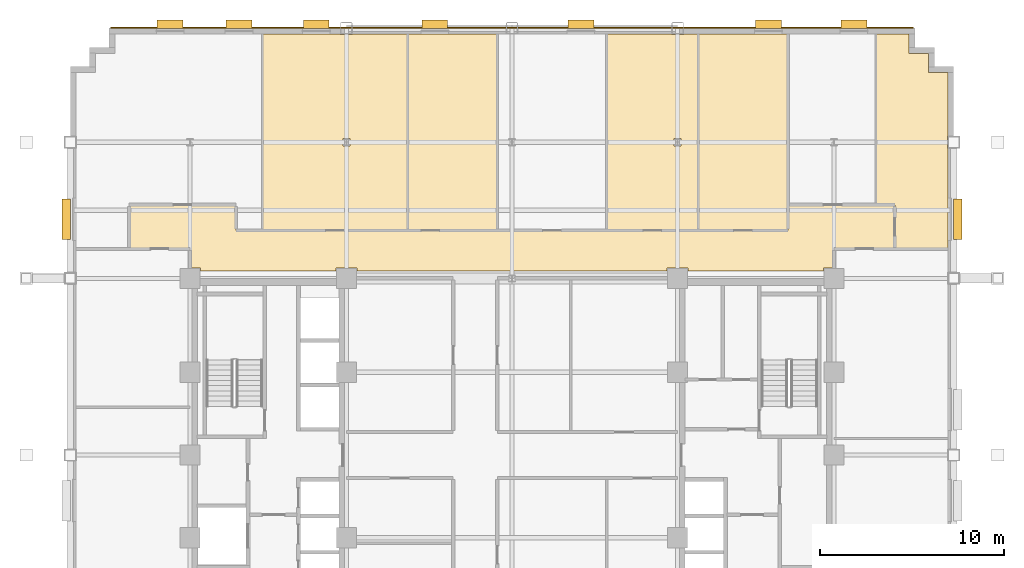
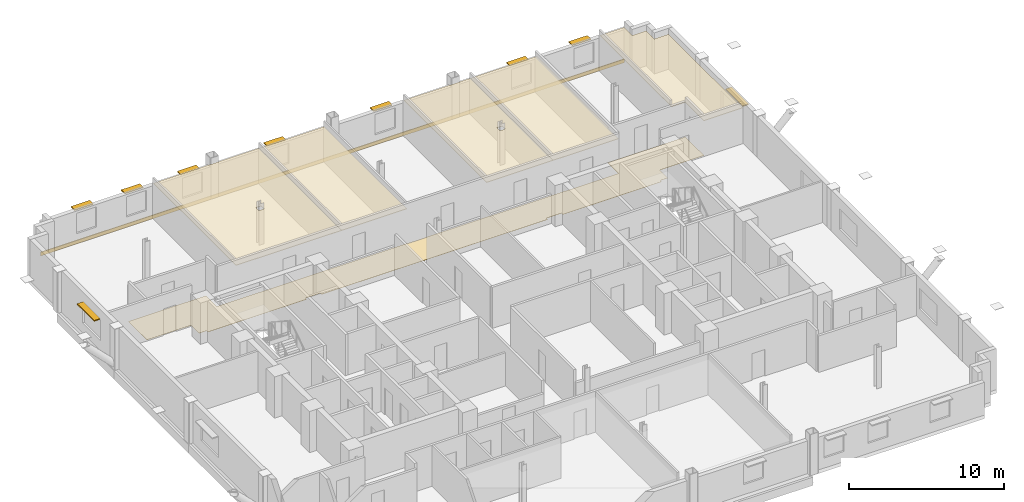
# One storey, part 14 of 14: 9 shading devices, 7 coverings.
"""IFC4 building model written with IfcOpenShell, lengths in metres."""

from ifc_helpers import new_model, si_unit, direction, frame, origin, origin_2d, place, context, subcontext, project, spatial, polyline, rectangle, outline, extrude, source, transform, mapped, material, layer, layer_set, type_object, type_shapes, element, save


model = new_model("IFC4")

# Units and contexts
model_context = context("Model", 3, precision=1e-05, world=origin(), true_north=direction((0.0, 1.0)))
body_context = subcontext(model_context, "Body", "Model", "MODEL_VIEW")
ifc_project = project(units=[si_unit("LENGTHUNIT", "METRE"), si_unit("AREAUNIT", "SQUARE_METRE"), si_unit("VOLUMEUNIT", "CUBIC_METRE"), si_unit("PLANEANGLEUNIT", "RADIAN"), si_unit("MASSUNIT", "GRAM", prefix="KILO")], contexts=[model_context])

# Site, building, storey
site_placement = place(None, origin())
site = spatial("IfcSite", under=ifc_project, at=site_placement, CompositionType="ELEMENT")
building_placement = place(site_placement, origin())
building = spatial("IfcBuilding", under=site, at=building_placement, Name="Nuvemarco Arch Tower", CompositionType="ELEMENT")
storey_placement = place(building_placement, frame((0.0, 0.0, 112.89990234375)))
storey = spatial("IfcBuildingStorey", under=building, at=storey_placement, Name="L29", CompositionType="ELEMENT", Elevation=112.89990234375)

# Coverings
ifc_material_1 = material(Name="Mineral acoustic ceiling tile")
ifc_layer_1 = layer(ifc_material_1, 0.0400390625, Name="COV-ACOUSTIC-CLG")
ifc_layer_set_1 = layer_set([ifc_layer_1], Name="Mineral acoustic ceiling tile")
covering_type_1 = type_object("IfcCoveringType", Name="COV-ACOUSTIC-CLG", PredefinedType="CEILING", material=ifc_layer_set_1)
covering_1_placement = place(storey_placement, frame((0.0, 0.0, 2.72998046875)))
element("IfcCovering", 1, at=covering_1_placement, inside=storey, type_object=covering_type_1, Name="L29 suspended acoustic ceiling 3", PredefinedType="CEILING", context=body_context, shape_type="SweptSolid", body=[
    extrude(outline(polyline([(-5.669921875, 12.199951171875), (-13.56005859375, 12.199951171875), (-13.56005859375, 22.8798828125), (-9.340087890625, 22.8798828125), (-9.340087890625, 22.860107421875), (-8.659912109375, 22.860107421875), (-8.659912109375, 22.8798828125), (-5.669921875, 22.8798828125), (-5.669921875, 12.199951171875)]), holes=[polyline([(-8.804931640625, 16.804931640625), (-8.804931640625, 17.195068359375), (-9.195068359375, 17.195068359375), (-9.195068359375, 16.804931640625), (-8.804931640625, 16.804931640625)])]), origin(), (0.0, 0.0, 1.0), 0.0400390625),
])
covering_2_placement = place(storey_placement, frame((0.0, 0.0, 2.72998046875)))
element("IfcCovering", 2, at=covering_2_placement, inside=storey, type_object=covering_type_1, Name="L29 suspended acoustic ceiling 4", PredefinedType="CEILING", context=body_context, shape_type="SweptSolid", body=[
    extrude(outline(polyline([(15.070068359375, 22.8798828125), (15.070068359375, 13.60009765625), (15.0, 13.60009765625), (15.0, 12.199951171875), (10.110107421875, 12.199951171875), (10.110107421875, 22.8798828125), (15.070068359375, 22.8798828125)])), origin(), (0.0, 0.0, 1.0), 0.0400390625),
])
covering_3_placement = place(storey_placement, frame((0.0, 0.0, 2.72998046875)))
element("IfcCovering", 3, at=covering_3_placement, inside=storey, type_object=covering_type_1, Name="L29 suspended acoustic ceiling 5", PredefinedType="CEILING", context=body_context, shape_type="SweptSolid", body=[
    extrude(outline(polyline([(10.110107421875, 12.199951171875), (5.14990234375, 12.199951171875), (5.14990234375, 22.8798828125), (8.659912109375, 22.8798828125), (8.659912109375, 22.860107421875), (9.340087890625, 22.860107421875), (9.340087890625, 22.8798828125), (10.110107421875, 22.8798828125), (10.110107421875, 12.199951171875)]), holes=[polyline([(9.195068359375, 17.195068359375), (8.804931640625, 17.195068359375), (8.804931640625, 16.804931640625), (9.195068359375, 16.804931640625), (9.195068359375, 17.195068359375)])]), origin(), (0.0, 0.0, 1.0), 0.0400390625),
])
covering_4_placement = place(storey_placement, frame((0.0, 0.0, 2.72998046875)))
element("IfcCovering", 4, at=covering_4_placement, inside=storey, type_object=covering_type_1, Name="L29 suspended acoustic ceiling 6", PredefinedType="CEILING", context=body_context, shape_type="SweptSolid", body=[
    extrude(outline(polyline([(-0.800048828125, 12.199951171875), (-3.199951171875, 12.199951171875), (-5.669921875, 12.199951171875), (-5.669921875, 22.8798828125), (-0.800048828125, 22.8798828125), (-0.800048828125, 12.199951171875)])), origin(), (0.0, 0.0, 1.0), 0.0400390625),
])
covering_5_placement = place(storey_placement, frame((0.0, 0.0, 2.72998046875)))
element("IfcCovering", 5, at=covering_5_placement, inside=storey, type_object=covering_type_1, Name="L29 suspended acoustic ceiling 7", PredefinedType="CEILING", context=body_context, shape_type="SweptSolid", body=[
    extrude(outline(polyline([(23.679931640625, 20.780029296875), (23.679931640625, 17.340087890625), (23.659912109375, 17.340087890625), (23.659912109375, 16.659912109375), (23.679931640625, 16.659912109375), (23.679931640625, 11.199951171875), (20.800048828125, 11.199951171875), (20.800048828125, 13.60009765625), (19.780029296875, 13.60009765625), (19.780029296875, 22.8798828125), (21.580078125, 22.8798828125), (21.580078125, 21.830078125), (22.6298828125, 21.830078125), (22.6298828125, 20.780029296875), (23.679931640625, 20.780029296875)])), origin(), (0.0, 0.0, 1.0), 0.0400390625),
])
ifc_material_2 = material(Name="Polished granite terrazzostone flooring", Category="masonry")
ifc_layer_2 = layer(ifc_material_2, 0.02001953125, Name="COV-LOBBY-FLR")
ifc_layer_set_2 = layer_set([ifc_layer_2], Name="Polished granite terrazzostone flooring")
covering_type_2 = type_object("IfcCoveringType", Name="COV-LOBBY-FLR", PredefinedType="FLOORING", material=ifc_layer_set_2)
covering_6_placement = place(storey_placement, origin())
element("IfcCovering", 6, at=covering_6_placement, inside=storey, type_object=covering_type_2, Name="L29 polished terrazzo lobby flooring", PredefinedType="FLOORING", context=body_context, shape_type="SweptSolid", body=[
    extrude(outline(polyline([(-8.43505859375, 10.1650390625), (-9.56494140625, 10.1650390625), (-9.56494140625, 10.0), (-16.93505859375, 10.0), (-16.93505859375, 10.1650390625), (-17.5, 10.1650390625), (-17.5, 11.199951171875), (-20.800048828125, 11.199951171875), (-20.800048828125, 13.60009765625), (-15.0, 13.60009765625), (-15.0, 12.199951171875), (-3.199951171875, 12.199951171875), (-0.800048828125, 12.199951171875), (15.0, 12.199951171875), (15.0, 13.60009765625), (20.800048828125, 13.60009765625), (20.800048828125, 11.199951171875), (17.5, 11.199951171875), (17.5, 10.1650390625), (16.93505859375, 10.1650390625), (16.93505859375, 10.0), (9.56494140625, 10.0), (9.56494140625, 10.1650390625), (8.43505859375, 10.1650390625), (8.43505859375, 10.0), (-8.43505859375, 10.0), (-8.43505859375, 10.1650390625)])), origin(), (0.0, 0.0, 1.0), 0.02001953125),
])

# Shading devices
ifc_material_3 = material(Name="Anodised aluminium 6063-T6", Category="aluminium")
shading_device_type_1 = type_object("IfcShadingDeviceType", Name="SHD-BRISE-SOLEIL", PredefinedType="USERDEFINED", material=ifc_material_3)
shared_shape_1 = source(origin(), body_context, "Body", "SweptSolid", [
    extrude(rectangle(XDim=2.199951171875, YDim=0.449951171875, at=origin_2d()), origin(), (0.0, 0.0, 1.0), 0.080078125),
])
type_shapes(shading_device_type_1, [shared_shape_1])
for number, where, z_axis, x_axis, name in (
    (7, (24.215087890625, 12.81494140625, 2.425048828125), (0.0, 0.0, 1.0), (0.0, 1.0, 0.0), "L29 horizontal brise-soleil sunshade"),
    (8, (-24.215087890625, 12.81494140625, 2.425048828125), (0.0, 0.0, 1.0), (0.0, 1.0, 0.0), "L29 horizontal brise-soleil sunshade"),
):
    element("IfcShadingDevice", number, at=place(storey_placement, frame(where, z_axis=z_axis, x_axis=x_axis)), inside=storey, type_object=shading_device_type_1, Name=name, ObjectType="SUNSHADE", PredefinedType="USERDEFINED", context=body_context, shape_type="MappedRepresentation", body=[
        mapped(shared_shape_1, transform((0.0, 0.0, 0.0), scale=1.0)),
    ])
shading_device_type_2 = type_object("IfcShadingDeviceType", Name="SHD-BRISE-NARROW", PredefinedType="USERDEFINED", material=ifc_material_3)
shared_shape_2 = source(origin(), body_context, "Body", "SweptSolid", [
    extrude(rectangle(XDim=1.39990234375, YDim=0.449951171875, at=origin_2d()), origin(), (0.0, 0.0, 1.0), 0.080078125),
])
type_shapes(shading_device_type_2, [shared_shape_2])
for number, where, z_axis, x_axis, name in (
    (9, (-18.577880859375, 23.4150390625, 2.405029296875), (0.0, 0.0, 1.0), (1.0, 0.0, 0.0), "L29 horizontal brise-soleil sunshade"),
    (10, (-14.833251953125, 23.4150390625, 2.405029296875), (0.0, 0.0, 1.0), (1.0, 0.0, 0.0), "L29 horizontal brise-soleil sunshade"),
    (11, (-10.638916015625, 23.4150390625, 2.405029296875), (0.0, 0.0, 1.0), (1.0, 0.0, 0.0), "L29 horizontal brise-soleil sunshade"),
    (12, (-4.1943359375, 23.4150390625, 2.405029296875), (0.0, 0.0, 1.0), (1.0, 0.0, 0.0), "L29 horizontal brise-soleil sunshade"),
    (13, (3.744384765625, 23.4150390625, 2.405029296875), (0.0, 0.0, 1.0), (1.0, 0.0, 0.0), "L29 horizontal brise-soleil sunshade"),
    (14, (13.933349609375, 23.4150390625, 2.405029296875), (0.0, 0.0, 1.0), (1.0, 0.0, 0.0), "L29 horizontal brise-soleil sunshade"),
    (15, (18.577880859375, 23.4150390625, 2.405029296875), (0.0, 0.0, 1.0), (1.0, 0.0, 0.0), "L29 horizontal brise-soleil sunshade"),
):
    element("IfcShadingDevice", number, at=place(storey_placement, frame(where, z_axis=z_axis, x_axis=x_axis)), inside=storey, type_object=shading_device_type_2, Name=name, ObjectType="SUNSHADE", PredefinedType="USERDEFINED", context=body_context, shape_type="MappedRepresentation", body=[
        mapped(shared_shape_2, transform((0.0, 0.0, 0.0), scale=1.0)),
    ])

# Covering
ifc_material_4 = material(Name="Precast concrete C45/55", Category="concrete")
ifc_layer_3 = layer(ifc_material_4, 0.06005859375, Name="COV-SPANDREL-CLAD")
ifc_layer_set_3 = layer_set([ifc_layer_3], Name="Precast concrete C45/55")
covering_type_3 = type_object("IfcCoveringType", Name="COV-SPANDREL-CLAD", PredefinedType="CLADDING", material=ifc_layer_set_3)
shared_shape_3 = source(origin(), body_context, "Body", "SweptSolid", [
    extrude(rectangle(XDim=43.60009765625, YDim=0.06005859375, at=origin_2d()), origin(), (0.0, 0.0, 1.0), 0.280029296875),
])
type_shapes(covering_type_3, [shared_shape_3])
covering_7_placement = place(storey_placement, frame((0.0, 23.22900390625, -0.27978515625), z_axis=(0.0, 0.0, 1.0), x_axis=(1.0, 0.0, 0.0)))
element("IfcCovering", 16, at=covering_7_placement, inside=storey, type_object=covering_type_3, Name="L29 precast spandrel edge cladding north", PredefinedType="CLADDING", context=body_context, shape_type="MappedRepresentation", body=[
    mapped(shared_shape_3, transform((0.0, 0.0, 0.0), scale=1.0)),
])

save(model, "model.ifc")
